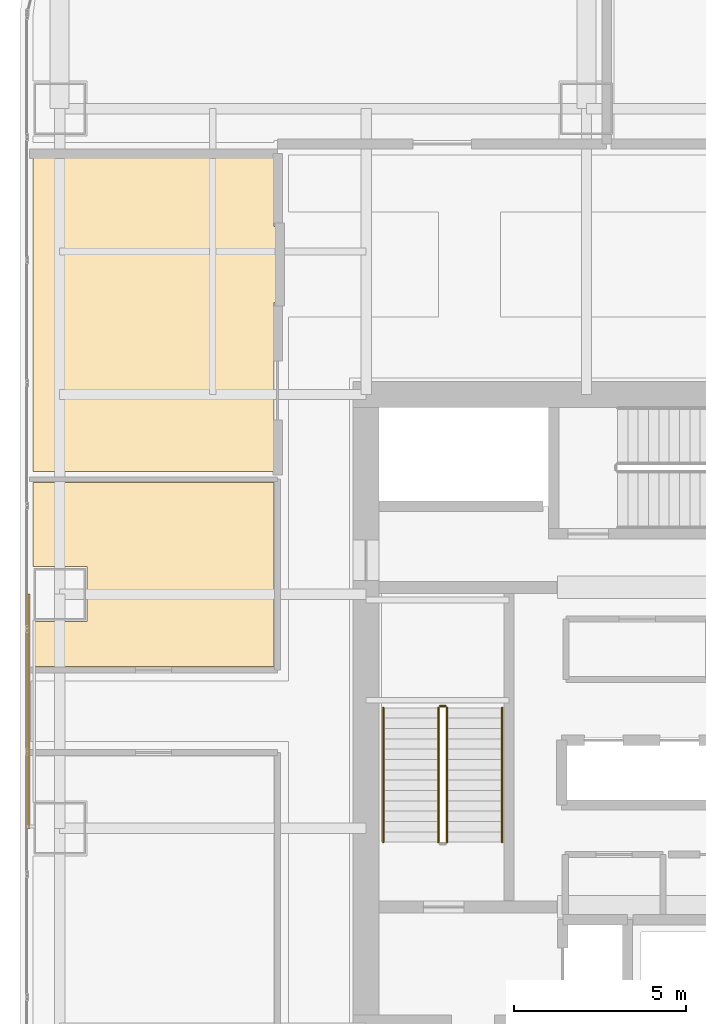
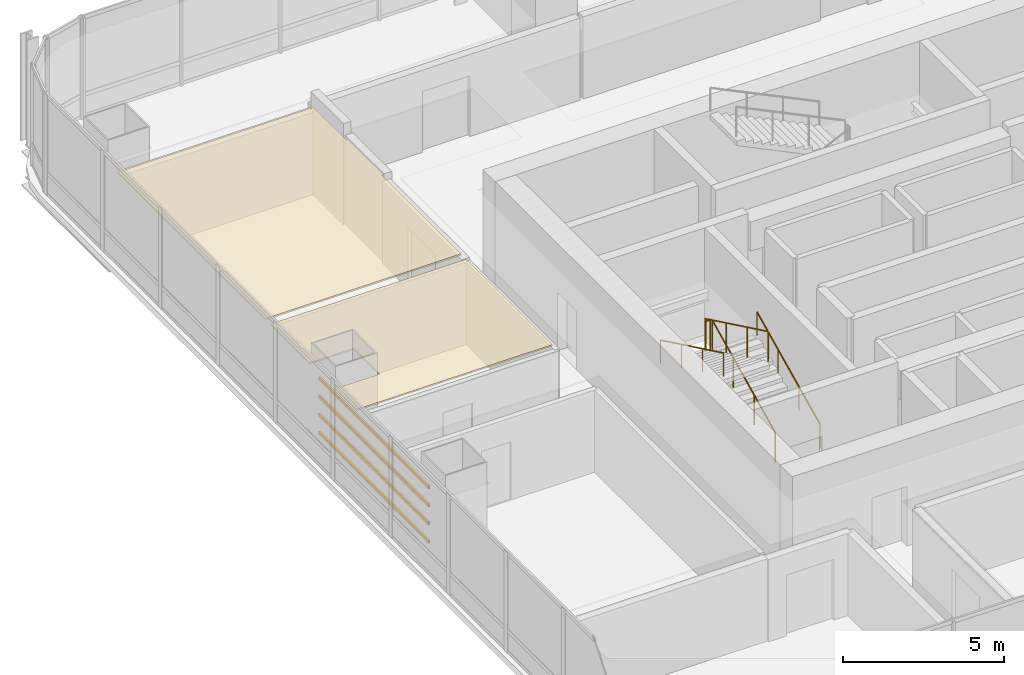
# One storey, part 31 of 34: 5 railings, 4 shading devices, 2 coverings.
"""IFC4 building model written with IfcOpenShell, lengths in metres."""

from ifc_helpers import new_model, si_unit, direction, frame, origin, origin_2d, place, context, subcontext, project, spatial, polyline, hollow_rectangle, circle, outline, extrude, material, layer, layer_set, material_profile, profile_set, type_object, element, save


model = new_model("IFC4")

# Units and contexts
model_context = context("Model", 3, precision=1e-05, world=origin(), true_north=direction((0.0, 1.0)))
body_context = subcontext(model_context, "Body", "Model", "MODEL_VIEW")
ifc_project = project(units=[si_unit("LENGTHUNIT", "METRE"), si_unit("AREAUNIT", "SQUARE_METRE"), si_unit("VOLUMEUNIT", "CUBIC_METRE"), si_unit("PLANEANGLEUNIT", "RADIAN"), si_unit("MASSUNIT", "GRAM", prefix="KILO")], contexts=[model_context])

# Site, building, storey
site_placement = place(None, origin())
site = spatial("IfcSite", under=ifc_project, at=site_placement, CompositionType="ELEMENT")
building_placement = place(site_placement, origin())
building = spatial("IfcBuilding", under=site, at=building_placement, Name="Punatoya Terracotta Tower", CompositionType="ELEMENT")
storey_placement = place(building_placement, frame((0.0, 0.0, 101.10009765625)))
storey = spatial("IfcBuildingStorey", under=building, at=storey_placement, Name="L23", CompositionType="ELEMENT", Elevation=101.10009765625)

# Coverings
ifc_material_1 = material(Name="Acoustic Mineral Fibre Ceiling")
ifc_layer = layer(ifc_material_1, 0.06005859375)
ifc_layer_set = layer_set([ifc_layer], Name="Acoustic Mineral Fibre Ceiling")
covering_type = type_object("IfcCoveringType", Name="COV-CEIL-60", PredefinedType="CEILING", material=ifc_layer_set)
covering_1_placement = place(storey_placement, frame((0.0, 0.0, 3.199951171875)))
element("IfcCovering", 1, at=covering_1_placement, inside=storey, type_object=covering_type, Name="L23 Open-Plan Wellness Relaxation Lounge Acoustic Ceiling", PredefinedType="CEILING", context=body_context, shape_type="SweptSolid", body=[
    extrude(outline(polyline([(-12.8701171875, 1.300048828125), (-12.8701171875, 6.637939453125), (-19.8701171875, 6.637939453125), (-19.8701171875, 4.199951171875), (-18.300048828125, 4.199951171875), (-18.300048828125, 2.60009765625), (-19.8701171875, 2.60009765625), (-19.8701171875, 1.300048828125), (-12.8701171875, 1.300048828125)])), origin(), (0.0, 0.0, 1.0), 0.06005859375),
])
covering_2_placement = place(storey_placement, frame((0.0, 0.0, 3.199951171875)))
element("IfcCovering", 2, at=covering_2_placement, inside=storey, type_object=covering_type, Name="L23 Waterfront Club Lounge Acoustic Ceiling", PredefinedType="CEILING", context=body_context, shape_type="SweptSolid", body=[
    extrude(outline(polyline([(-12.8701171875, 6.9580078125), (-12.8701171875, 11.8701171875), (-12.81005859375, 11.8701171875), (-12.81005859375, 14.080078125), (-12.8701171875, 14.080078125), (-12.8701171875, 16.090087890625), (-19.8701171875, 16.090087890625), (-19.8701171875, 6.9580078125), (-12.8701171875, 6.9580078125)])), origin(), (0.0, 0.0, 1.0), 0.06005859375),
])

# Railings
ifc_material_2 = material(Name="Steel S355", Category="steel")
railing_type_1 = type_object("IfcRailingType", Name="RLG-GRD-1150", PredefinedType="GUARDRAIL", material=ifc_material_2)
railing_1_placement = place(storey_placement, frame((-7.85009765625, -3.800048828125, 0.14453125)))
element("IfcRailing", 3, at=railing_1_placement, inside=storey, type_object=railing_type_1, Name="L23 ST-1 stair guard 1", PredefinedType="GUARDRAIL", context=body_context, shape_type="SweptSolid", body=[
    extrude(circle(Radius=0.02392578125, at=origin_2d()), frame((0.0, 0.0, 1.1259765625), z_axis=(0.0, 0.900773802044, 0.434288564841), x_axis=(-1.0, 0.0, 0.0)), (0.0, 0.0, 1.0), 4.329833984375),
    extrude(circle(Radius=0.02099609375, at=origin_2d()), origin(), (0.0, 0.0, 1.0), 1.101806640625),
    extrude(circle(Radius=0.02099609375, at=origin_2d()), frame((0.0, 1.300048828125, 0.626708984375)), (0.0, 0.0, 1.0), 1.101806640625),
    extrude(circle(Radius=0.02099609375, at=origin_2d()), frame((0.0, 2.60009765625, 1.253662109375)), (0.0, 0.0, 1.0), 1.101806640625),
    extrude(circle(Radius=0.02099609375, at=origin_2d()), frame((0.0, 3.900146484375, 1.88037109375)), (0.0, 0.0, 1.0), 1.101806640625),
])
railing_2_placement = place(storey_placement, frame((-7.89990234375, 0.14990234375, 2.02490234375)))
element("IfcRailing", 4, at=railing_2_placement, inside=storey, type_object=railing_type_1, Name="L23 ST-1 stair guard 2", PredefinedType="GUARDRAIL", context=body_context, shape_type="SweptSolid", body=[
    extrude(circle(Radius=0.02392578125, at=origin_2d()), frame((0.0, 0.0, 1.1259765625), z_axis=(-1.0, 0.0, 0.0), x_axis=(0.0, -1.0, 0.0)), (0.0, 0.0, 1.0), 0.150146484375),
    extrude(circle(Radius=0.02099609375, at=origin_2d()), origin(), (0.0, 0.0, 1.0), 1.101806640625),
    extrude(circle(Radius=0.02099609375, at=origin_2d()), frame((-0.150146484375, 0.0, 0.0)), (0.0, 0.0, 1.0), 1.101806640625),
])
railing_3_placement = place(storey_placement, frame((-8.10009765625, 0.10009765625, 2.16943359375)))
element("IfcRailing", 5, at=railing_3_placement, inside=storey, type_object=railing_type_1, Name="L23 ST-1 stair guard 3", PredefinedType="GUARDRAIL", context=body_context, shape_type="SweptSolid", body=[
    extrude(circle(Radius=0.02392578125, at=origin_2d()), frame((0.0, 0.0, 1.1259765625), z_axis=(0.0, -0.900773802044, 0.434288564841), x_axis=(1.0, 0.0, 0.0)), (0.0, 0.0, 1.0), 4.329833984375),
    extrude(circle(Radius=0.02099609375, at=origin_2d()), origin(), (0.0, 0.0, 1.0), 1.101806640625),
    extrude(circle(Radius=0.02099609375, at=origin_2d()), frame((0.0, -1.300048828125, 0.626708984375)), (0.0, 0.0, 1.0), 1.101806640625),
    extrude(circle(Radius=0.02099609375, at=origin_2d()), frame((0.0, -2.60009765625, 1.253662109375)), (0.0, 0.0, 1.0), 1.101806640625),
    extrude(circle(Radius=0.02099609375, at=origin_2d()), frame((0.0, -3.900146484375, 1.88037109375)), (0.0, 0.0, 1.0), 1.101806640625),
])
railing_type_2 = type_object("IfcRailingType", Name="RLG-HND-900", PredefinedType="HANDRAIL", material=ifc_material_2)
railing_4_placement = place(storey_placement, frame((-6.25, -3.800048828125, 0.14453125)))
element("IfcRailing", 6, at=railing_4_placement, inside=storey, type_object=railing_type_2, Name="L23 ST-1 stair handrail 1", PredefinedType="HANDRAIL", context=body_context, shape_type="SweptSolid", body=[
    extrude(circle(Radius=0.02392578125, at=origin_2d()), frame((0.0, 0.0, 0.8759765625), z_axis=(0.0, 0.900773802044, 0.434288564841), x_axis=(-1.0, 0.0, 0.0)), (0.0, 0.0, 1.0), 4.329833984375),
    extrude(circle(Radius=0.02099609375, at=origin_2d()), origin(), (0.0, 0.0, 1.0), 0.851806640625),
    extrude(circle(Radius=0.02099609375, at=origin_2d()), frame((0.0, 1.300048828125, 0.626708984375)), (0.0, 0.0, 1.0), 0.851806640625),
    extrude(circle(Radius=0.02099609375, at=origin_2d()), frame((0.0, 2.60009765625, 1.253662109375)), (0.0, 0.0, 1.0), 0.851806640625),
    extrude(circle(Radius=0.02099609375, at=origin_2d()), frame((0.0, 3.900146484375, 1.88037109375)), (0.0, 0.0, 1.0), 0.851806640625),
])
railing_5_placement = place(storey_placement, frame((-9.699951171875, 0.10009765625, 2.16943359375)))
element("IfcRailing", 7, at=railing_5_placement, inside=storey, type_object=railing_type_2, Name="L23 ST-1 stair handrail 2", PredefinedType="HANDRAIL", context=body_context, shape_type="SweptSolid", body=[
    extrude(circle(Radius=0.02392578125, at=origin_2d()), frame((0.0, 0.0, 0.8759765625), z_axis=(0.0, -0.900773802044, 0.434288564841), x_axis=(1.0, 0.0, 0.0)), (0.0, 0.0, 1.0), 4.329833984375),
    extrude(circle(Radius=0.02099609375, at=origin_2d()), origin(), (0.0, 0.0, 1.0), 0.851806640625),
    extrude(circle(Radius=0.02099609375, at=origin_2d()), frame((0.0, -1.300048828125, 0.626708984375)), (0.0, 0.0, 1.0), 0.851806640625),
    extrude(circle(Radius=0.02099609375, at=origin_2d()), frame((0.0, -2.60009765625, 1.253662109375)), (0.0, 0.0, 1.0), 0.851806640625),
    extrude(circle(Radius=0.02099609375, at=origin_2d()), frame((0.0, -3.900146484375, 1.88037109375)), (0.0, 0.0, 1.0), 0.851806640625),
])

# Shading devices
ifc_material_3 = material(Name="Architectural Fired Terracotta", Category="masonry")
ifc_material_profile = material_profile(ifc_material_3, hollow_rectangle(XDim=0.06494140625, YDim=0.1201171875, WallThickness=0.014892578125, at=origin_2d()))
ifc_profile_set = profile_set([ifc_material_profile], Name="Architectural Fired Terracotta")
shading_device_type = type_object("IfcShadingDeviceType", Name="SHD-BAG-120", PredefinedType="USERDEFINED", material=ifc_profile_set)
for number, where, z_axis, x_axis, name in (
    (8, (-19.989990234375, -3.39990234375, 1.14990234375), (0.0, 1.0, 0.0), (-1.0, 0.0, 0.0), "L23 Fired Terracotta Baguette Louvre BAG-L23-W-01"),
    (9, (-19.989990234375, -3.39990234375, 1.836669921875), (0.0, 1.0, 0.0), (-1.0, 0.0, 0.0), "L23 Fired Terracotta Baguette Louvre BAG-L23-W-02"),
    (10, (-19.989990234375, -3.39990234375, 2.523193359375), (0.0, 1.0, 0.0), (-1.0, 0.0, 0.0), "L23 Fired Terracotta Baguette Louvre BAG-L23-W-03"),
    (11, (-19.989990234375, -3.39990234375, 3.2099609375), (0.0, 1.0, 0.0), (-1.0, 0.0, 0.0), "L23 Fired Terracotta Baguette Louvre BAG-L23-W-04"),
):
    element("IfcShadingDevice", number, at=place(storey_placement, frame(where, z_axis=z_axis, x_axis=x_axis)), inside=storey, type_object=shading_device_type, Name=name, ObjectType="BAGUETTE", PredefinedType="USERDEFINED", context=body_context, shape_type="SweptSolid", body=[
        extrude(hollow_rectangle(XDim=0.06494140625, YDim=0.1201171875, WallThickness=0.014892578125, at=origin_2d()), origin(), (0.0, 0.0, 1.0), 6.7998046875),
    ])

save(model, "model.ifc")
